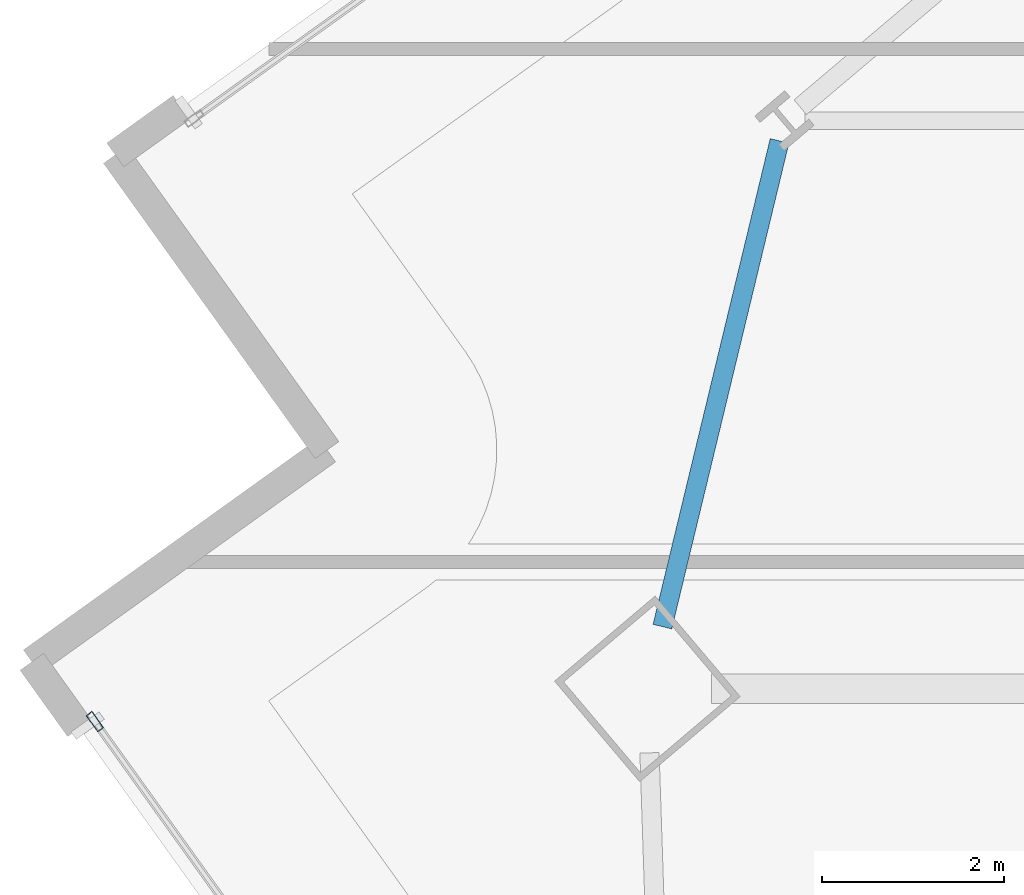
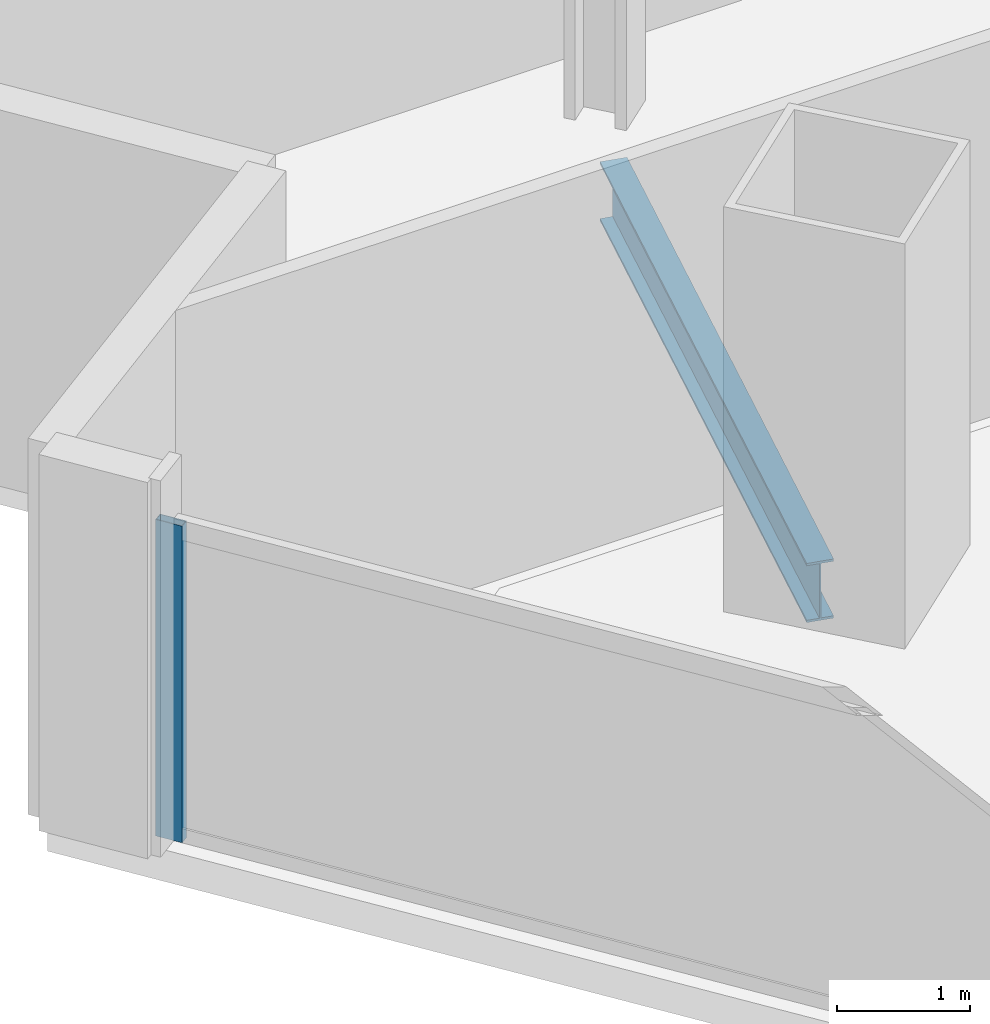
# One storey, part 11 of 33: 1 beam, 1 member, 1 element without a shape of its own.
"""IFC4 building model written with IfcOpenShell, lengths in metres."""

from ifc_helpers import new_model, si_unit, direction, frame, origin, origin_2d, place, context, subcontext, project, spatial, hollow_rectangle, i_section, extrude, material, material_profile, profile_set, type_object, element, aggregate, save


model = new_model("IFC4")

# Units and contexts
model_context = context("Model", 3, precision=1e-05, world=origin(), true_north=direction((0.0, 1.0)))
body_context = subcontext(model_context, "Body", "Model", "MODEL_VIEW")
ifc_project = project(units=[si_unit("LENGTHUNIT", "METRE"), si_unit("AREAUNIT", "SQUARE_METRE"), si_unit("VOLUMEUNIT", "CUBIC_METRE"), si_unit("PLANEANGLEUNIT", "RADIAN"), si_unit("MASSUNIT", "GRAM", prefix="KILO")], contexts=[model_context])

# Site, building, storey
site_placement = place(None, origin())
site = spatial("IfcSite", under=ifc_project, at=site_placement, CompositionType="ELEMENT")
building_placement = place(site_placement, origin())
building = spatial("IfcBuilding", under=site, at=building_placement, Name="Haldenkirk Collegiate Tower", CompositionType="ELEMENT")
storey_placement = place(building_placement, frame((0.0, 0.0, 148.199951171875)))
storey = spatial("IfcBuildingStorey", under=building, at=storey_placement, Name="L36", CompositionType="ELEMENT", Elevation=148.199951171875)

# Beam
ifc_material_1 = material(Name="Steel ASTM A992 Grade 50", Category="steel")
ifc_material_profile_1 = material_profile(ifc_material_1, i_section(OverallWidth=0.2119140625, OverallDepth=0.5439453125, WebThickness=0.01318359375, FlangeThickness=0.021240234375, at=origin_2d()), Name="W21X83")
ifc_profile_set_1 = profile_set([ifc_material_profile_1], Name="Steel ASTM A992 Grade 50")
beam_type = type_object("IfcBeamType", Name="BM-SPANDREL-W21X83", PredefinedType="SPANDREL", material=ifc_profile_set_1)
beam_placement = place(storey_placement, frame((12.21630859375, 33.137451171875, -0.56201171875), z_axis=(-0.234477140293, -0.972121633686, 0.0), x_axis=(0.972121633686, -0.234477140293, 0.0)))
element("IfcBeam", 1, at=beam_placement, inside=storey, type_object=beam_type, Name="L36 perimeter spandrel beam 12", PredefinedType="SPANDREL", context=body_context, shape_type="SweptSolid", body=[
    extrude(i_section(OverallWidth=0.2119140625, OverallDepth=0.5439453125, WebThickness=0.01318359375, FlangeThickness=0.021240234375, at=origin_2d()), origin(), (0.0, 0.0, 1.0), 5.501708984375),
])

# Curtain wall, member
ifc_material_2 = material(Name="Anodised architectural bronze aluminium", Category="aluminium")
curtain_wall_type = type_object("IfcCurtainWallType", Name="CW-SYS1-CONVEX-LOW", PredefinedType="USERDEFINED", material=ifc_material_2)
curtain_wall_placement = place(storey_placement, origin())
curtain_wall = element("IfcCurtainWall", 2, at=curtain_wall_placement, inside=storey, type_object=curtain_wall_type, Name="L36 Lower tower convex bronze-framed unitised curtain wall", ObjectType="UNITISED CURTAIN WALL", PredefinedType="USERDEFINED")
ifc_material_profile_2 = material_profile(ifc_material_2, hollow_rectangle(XDim=0.080078125, YDim=0.219970703125, WallThickness=0.0048828125, at=origin_2d()), Name="CW-MUL-1A")
ifc_profile_set_2 = profile_set([ifc_material_profile_2], Name="Anodised architectural bronze aluminium")
member_type = type_object("IfcMemberType", Name="CW-MUL-1A", PredefinedType="MULLION", material=ifc_profile_set_2)
member_placement = place(storey_placement, frame((4.6767578125, 26.7431640625, 0.0), z_axis=(0.0, 0.0, 1.0), x_axis=(-0.812592330235, -0.582832484375, 0.0)))
member = element("IfcMember", 3, at=member_placement, type_object=member_type, Name="CW-1A mullion 5", PredefinedType="MULLION", context=body_context, shape_type="SweptSolid", body=[
    extrude(hollow_rectangle(XDim=0.080078125, YDim=0.219970703125, WallThickness=0.0048828125, at=origin_2d()), origin(), (0.0, 0.0, 1.0), 2.9111328125),
])
aggregate(curtain_wall, [member])

save(model, "model.ifc")
